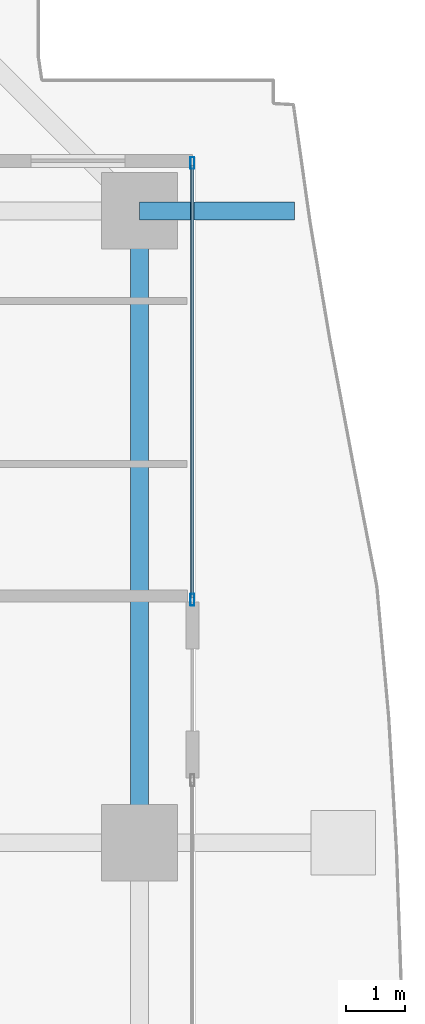
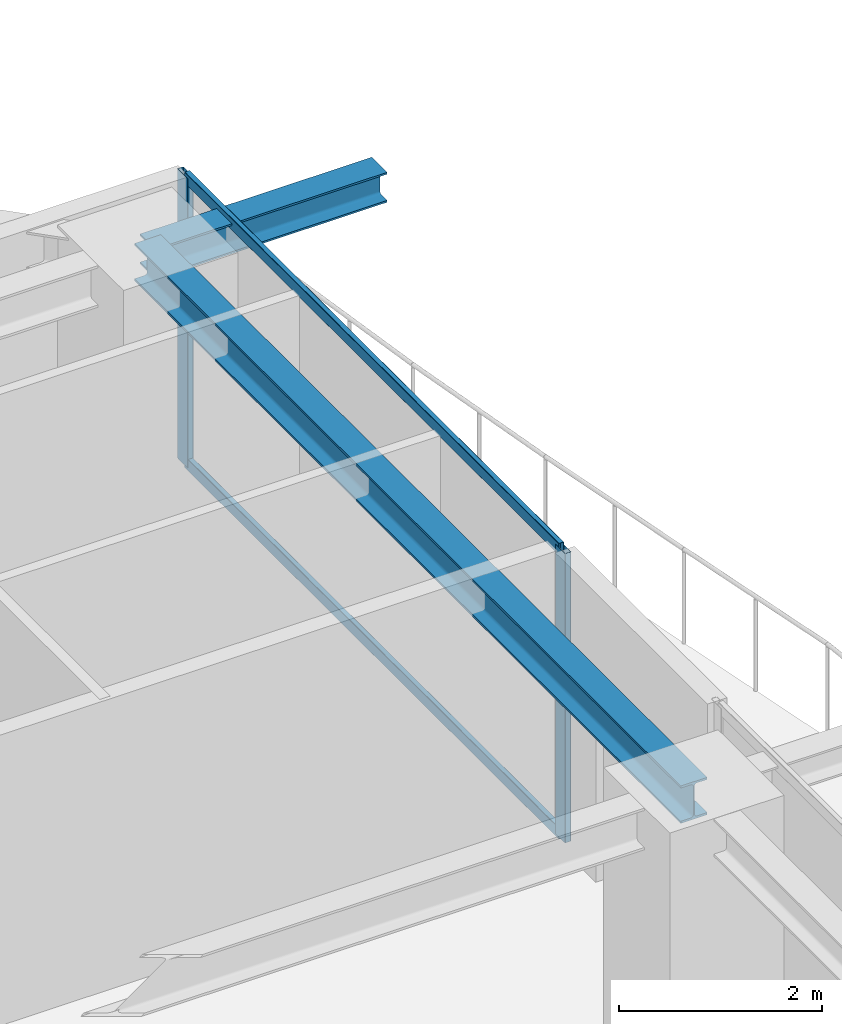
# One storey, part 23 of 36: 4 members, 2 beams, 1 element without a shape of its own.
"""IFC4 building model written with IfcOpenShell, lengths in metres."""

from ifc_helpers import new_model, si_unit, direction, frame, origin, origin_2d, place, context, subcontext, project, spatial, hollow_rectangle, i_section, extrude, source, transform, mapped, material, layer, layer_set, material_profile, profile_set, type_object, element, aggregate, save


model = new_model("IFC4")

# Units and contexts
model_context = context("Model", 3, precision=1e-05, world=origin(), true_north=direction((0.0, 1.0)))
body_context = subcontext(model_context, "Body", "Model", "MODEL_VIEW")
ifc_project = project(units=[si_unit("LENGTHUNIT", "METRE"), si_unit("AREAUNIT", "SQUARE_METRE"), si_unit("VOLUMEUNIT", "CUBIC_METRE"), si_unit("PLANEANGLEUNIT", "RADIAN"), si_unit("MASSUNIT", "GRAM", prefix="KILO")], contexts=[model_context])

# Site, building, storey
site_placement = place(None, origin())
site = spatial("IfcSite", under=ifc_project, at=site_placement, CompositionType="ELEMENT")
building_placement = place(site_placement, origin())
building = spatial("IfcBuilding", under=site, at=building_placement, Name="Serunith Strait Residences", CompositionType="ELEMENT")
storey_placement = place(building_placement, frame((0.0, 0.0, 131.39990234375)))
storey = spatial("IfcBuildingStorey", under=building, at=storey_placement, Name="L32", CompositionType="ELEMENT", Elevation=131.39990234375)

# Beams
ifc_material_1 = material(Name="Steel S355J2", Category="steel")
ifc_material_profile_1 = material_profile(ifc_material_1, i_section(OverallWidth=0.300048828125, OverallDepth=0.449951171875, WebThickness=0.013916015625, FlangeThickness=0.02587890625, FilletRadius=0.027099609375, at=origin_2d()), Name="HEB 450")
ifc_profile_set_1 = profile_set([ifc_material_profile_1], Name="Steel S355J2")
beam_type_1 = type_object("IfcBeamType", Name="BM-HEB450", PredefinedType="BEAM", material=ifc_profile_set_1)
shared_shape_1 = source(origin(), body_context, "Body", "SweptSolid", [
    extrude(i_section(OverallWidth=0.300048828125, OverallDepth=0.449951171875, WebThickness=0.013916015625, FlangeThickness=0.02587890625, FilletRadius=0.027099609375, at=origin_2d()), origin(), (0.0, 0.0, 1.0), 10.75),
])
beam_1_placement = place(storey_placement, frame((56.10009765625, 29.39990234375, 3.26220703125), z_axis=(0.0, 1.0, 0.0), x_axis=(-1.0, 0.0, 0.0)))
element("IfcBeam", 1, at=beam_1_placement, inside=storey, type_object=beam_type_1, Name="L32 Perimeter Ring Beam 07", PredefinedType="BEAM", context=body_context, shape_type="MappedRepresentation", body=[
    mapped(shared_shape_1, transform((0.0, 0.0, 0.0), scale=1.0)),
])
ifc_material_profile_2 = material_profile(ifc_material_1, i_section(OverallWidth=0.300048828125, OverallDepth=0.360107421875, WebThickness=0.012451171875, FlangeThickness=0.0224609375, FilletRadius=0.027099609375, at=origin_2d()), Name="HEB 360")
ifc_profile_set_2 = profile_set([ifc_material_profile_2], Name="Steel S355J2")
beam_type_2 = type_object("IfcBeamType", Name="BM-HEB360", PredefinedType="BEAM", material=ifc_profile_set_2)
shared_shape_2 = source(origin(), body_context, "Body", "SweptSolid", [
    extrude(i_section(OverallWidth=0.300048828125, OverallDepth=0.360107421875, WebThickness=0.012451171875, FlangeThickness=0.0224609375, FilletRadius=0.027099609375, at=origin_2d()), origin(), (0.0, 0.0, 1.0), 2.634521484375),
])
beam_2_placement = place(storey_placement, frame((56.10009765625, 40.14990234375, 3.277099609375), z_axis=(1.0, 0.0, 0.0), x_axis=(0.0, 1.0, 0.0)))
element("IfcBeam", 2, at=beam_2_placement, inside=storey, type_object=beam_type_2, Name="L33 Cantilevered Balcony Rib TC-E4", PredefinedType="BEAM", context=body_context, shape_type="MappedRepresentation", body=[
    mapped(shared_shape_2, transform((0.0, 0.0, 0.0), scale=1.0)),
])

# Curtain wall, members
ifc_material_2 = material(Name="Pale-Champagne Anodised Aluminium", Category="aluminium")
ifc_layer = layer(ifc_material_2, 0.199951171875, Name="Pale-Champagne Anodised Aluminium")
ifc_layer_set = layer_set([ifc_layer], Name="Pale-Champagne Anodised Aluminium")
curtain_wall_type = type_object("IfcCurtainWallType", Name="CW-SYS2", PredefinedType="NOTDEFINED", material=ifc_layer_set)
curtain_wall_placement = place(storey_placement, origin())
curtain_wall = element("IfcCurtainWall", 3, at=curtain_wall_placement, inside=storey, type_object=curtain_wall_type, Name="L32 E Unitised Fritted Curtain Wall", PredefinedType="NOTDEFINED")
ifc_material_profile_3 = material_profile(ifc_material_2, hollow_rectangle(XDim=0.070068359375, YDim=0.199951171875, WallThickness=0.00390625, InnerFilletRadius=0.006103515625, OuterFilletRadius=0.010009765625, at=origin_2d()), Name="ALU 200x70x4")
ifc_profile_set_3 = profile_set([ifc_material_profile_3], Name="Pale-Champagne Anodised Aluminium")
member_type_1 = type_object("IfcMemberType", Name="CW-SYS2-MULL", PredefinedType="MULLION", material=ifc_profile_set_3)
shared_shape_3 = source(origin(), body_context, "Body", "SweptSolid", [
    extrude(hollow_rectangle(XDim=0.070068359375, YDim=0.199951171875, WallThickness=0.00390625, InnerFilletRadius=0.006103515625, OuterFilletRadius=0.010009765625, at=origin_2d()), origin(), (0.0, 0.0, 1.0), 3.47509765625),
])
member_1_placement = place(storey_placement, frame((57.0, 33.534912109375, 0.0), z_axis=(0.0, 0.0, 1.0), x_axis=(-1.0, 0.0, 0.0)))
member_1 = element("IfcMember", 4, at=member_1_placement, type_object=member_type_1, Name="CW-2 mullion 1", PredefinedType="MULLION", context=body_context, shape_type="MappedRepresentation", body=[
    mapped(shared_shape_3, transform((0.0, 0.0, 0.0), scale=1.0)),
])
member_2_placement = place(storey_placement, frame((57.0, 40.965087890625, 0.0), z_axis=(0.0, 0.0, 1.0), x_axis=(-1.0, 0.0, 0.0)))
member_2 = element("IfcMember", 5, at=member_2_placement, type_object=member_type_1, Name="CW-2 mullion 2", PredefinedType="MULLION", context=body_context, shape_type="MappedRepresentation", body=[
    mapped(shared_shape_3, transform((0.0, 0.0, 0.0), scale=1.0)),
])
ifc_material_profile_4 = material_profile(ifc_material_2, hollow_rectangle(XDim=0.06005859375, YDim=0.139892578125, WallThickness=0.00341796875, InnerFilletRadius=0.00537109375, OuterFilletRadius=0.0087890625, at=origin_2d()), Name="ALU 140x60x3.5")
ifc_profile_set_4 = profile_set([ifc_material_profile_4], Name="Pale-Champagne Anodised Aluminium")
member_type_2 = type_object("IfcMemberType", Name="CW-SYS2-TRAN", PredefinedType="USERDEFINED", material=ifc_profile_set_4)
shared_shape_4 = source(origin(), body_context, "Body", "SweptSolid", [
    extrude(hollow_rectangle(XDim=0.06005859375, YDim=0.139892578125, WallThickness=0.00341796875, InnerFilletRadius=0.00537109375, OuterFilletRadius=0.0087890625, at=origin_2d()), origin(), (0.0, 0.0, 1.0), 7.35986328125),
])
member_3_placement = place(storey_placement, frame((57.0, 33.570068359375, 0.030029296875), z_axis=(0.0, 1.0, 0.0), x_axis=(-1.0, 0.0, 0.0)))
member_3 = element("IfcMember", 6, at=member_3_placement, type_object=member_type_2, Name="CW-2 transom 1.1", ObjectType="TRANSOM", PredefinedType="USERDEFINED", context=body_context, shape_type="MappedRepresentation", body=[
    mapped(shared_shape_4, transform((0.0, 0.0, 0.0), scale=1.0)),
])
member_4_placement = place(storey_placement, frame((57.0, 33.570068359375, 3.445068359375), z_axis=(0.0, 1.0, 0.0), x_axis=(-1.0, 0.0, 0.0)))
member_4 = element("IfcMember", 7, at=member_4_placement, type_object=member_type_2, Name="CW-2 transom 1.2", ObjectType="TRANSOM", PredefinedType="USERDEFINED", context=body_context, shape_type="MappedRepresentation", body=[
    mapped(shared_shape_4, transform((0.0, 0.0, 0.0), scale=1.0)),
])
aggregate(curtain_wall, [member_1, member_2, member_3, member_4])

save(model, "model.ifc")
